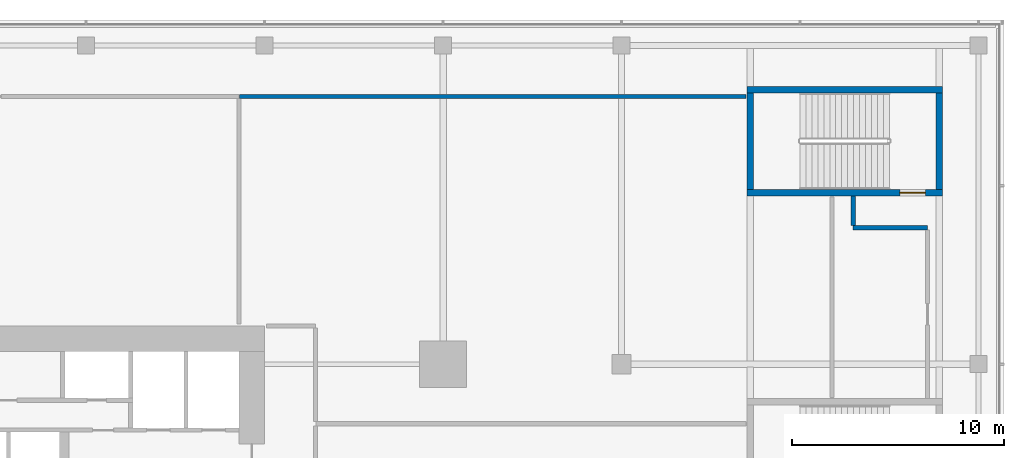
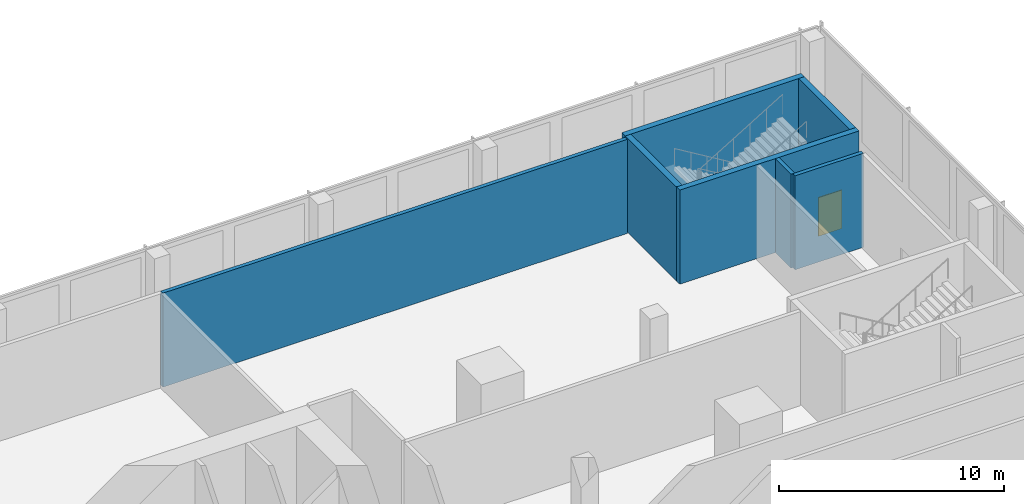
# One storey, part 34 of 39: 7 walls, 1 door, 1 opening.
"""IFC4 building model written with IfcOpenShell, lengths in metres."""

from ifc_helpers import new_model, si_unit, direction, frame, frame_2d, origin, place, context, subcontext, project, spatial, rectangle, extrude, material, layer, layer_set, type_object, element, fill, save


model = new_model("IFC4")

# Units and contexts
model_context = context("Model", 3, precision=1e-05, world=origin(), true_north=direction((0.0, 1.0)))
body_context = subcontext(model_context, "Body", "Model", "MODEL_VIEW")
ifc_project = project(units=[si_unit("LENGTHUNIT", "METRE"), si_unit("AREAUNIT", "SQUARE_METRE"), si_unit("VOLUMEUNIT", "CUBIC_METRE"), si_unit("PLANEANGLEUNIT", "RADIAN"), si_unit("MASSUNIT", "GRAM", prefix="KILO")], contexts=[model_context])

# Site, building, storey
site_placement = place(None, origin())
site = spatial("IfcSite", under=ifc_project, at=site_placement, CompositionType="ELEMENT")
building_placement = place(site_placement, origin())
building = spatial("IfcBuilding", under=site, at=building_placement, Name="Saffron Gate Tower", CompositionType="ELEMENT")
storey_placement = place(building_placement, frame((0.0, 0.0, 9.0)))
storey = spatial("IfcBuildingStorey", under=building, at=storey_placement, Name="L01", CompositionType="ELEMENT", Elevation=9.0)

# Wall, opening, door
ifc_material_1 = material(Name="Concrete C70", Category="concrete")
ifc_layer_1 = layer(ifc_material_1, 0.300048828125)
ifc_layer_set_1 = layer_set([ifc_layer_1], Name="CW5 RC core wall 300 C70")
wall_type_1 = type_object("IfcWallType", Name="CW5 RC core wall 300 C70", PredefinedType="SOLIDWALL", material=ifc_layer_set_1)
wall_1_placement = place(storey_placement, frame((131.300048828125, 81.875, 0.0), z_axis=(0.0, 0.0, 1.0), x_axis=(1.0, 0.0, 0.0)))
wall_1 = element("IfcWall", 1, at=wall_1_placement, inside=storey, type_object=wall_type_1, Name="Wall CW5-L01-I-1", PredefinedType="SOLIDWALL", context=body_context, shape_type="SweptSolid", body=[
    extrude(rectangle(XDim=9.199951171875, YDim=0.300048828125, at=frame_2d((4.60009765625, 0.0))), origin(), (0.0, 0.0, 1.0), 5.10009765625),
])
opening_placement = place(wall_1_placement, frame((7.199951171875, 0.0, 0.0)))
opening = element("IfcOpeningElement", 2, at=opening_placement, cuts=wall_1, Name="Opening CR-35", PredefinedType="OPENING", context=body_context, shape_type="SweptSolid", body=[
    extrude(rectangle(XDim=1.199951171875, YDim=2.10009765625, at=frame_2d((0.60009765625, 1.050048828125))), frame((0.0, 0.16015625, 0.0), z_axis=(0.0, -1.0, 0.0), x_axis=(1.0, 0.0, 0.0)), (0.0, 0.0, 1.0), 0.320068359375),
])
ifc_material_2 = material(Name="Steel fire door set", Category="steel")
door_type = type_object("IfcDoorType", Name="CD12 Stair door 1200x2100 EI 120", OperationType="NOTDEFINED", PredefinedType="DOOR", material=ifc_material_2)
door_placement = place(opening_placement, origin())
door = element("IfcDoor", 3, at=door_placement, inside=storey, type_object=door_type, Name="DOOR CR-35", OperationType="SINGLE_SWING_RIGHT", OverallHeight=2.10009765625, OverallWidth=1.199951171875, PredefinedType="DOOR", context=body_context, shape_type="SweptSolid", body=[
    extrude(rectangle(XDim=1.199951171875, YDim=2.10009765625, at=frame_2d((0.60009765625, 1.050048828125))), frame((0.0, 0.02490234375, 0.0), z_axis=(0.0, -1.0, 0.0), x_axis=(1.0, 0.0, 0.0)), (0.0, 0.0, 1.0), 0.050048828125),
])
fill(opening, door)

# Walls
for number, where, z_axis, x_axis, name in (
    (4, (131.449951171875, 82.02490234375, 0.0), (0.0, 0.0, 1.0), (0.0, 1.0, 0.0), "Wall CW5-L01-I-2"),
    (5, (140.35009765625, 82.02490234375, 0.0), (0.0, 0.0, 1.0), (0.0, 1.0, 0.0), "Wall CW5-L01-I-3"),
):
    element("IfcWall", number, at=place(storey_placement, frame(where, z_axis=z_axis, x_axis=x_axis)), inside=storey, type_object=wall_type_1, Name=name, PredefinedType="SOLIDWALL", context=body_context, shape_type="SweptSolid", body=[
        extrude(rectangle(XDim=4.550048828125, YDim=0.300048828125, at=frame_2d((2.27490234375, 0.0))), origin(), (0.0, 0.0, 1.0), 5.10009765625),
    ])
wall_2_placement = place(storey_placement, frame((131.300048828125, 86.72509765625, 0.0), z_axis=(0.0, 0.0, 1.0), x_axis=(1.0, 0.0, 0.0)))
element("IfcWall", 6, at=wall_2_placement, inside=storey, type_object=wall_type_1, Name="Wall CW5-L01-I-4", PredefinedType="SOLIDWALL", context=body_context, shape_type="SweptSolid", body=[
    extrude(rectangle(XDim=9.199951171875, YDim=0.300048828125, at=frame_2d((4.60009765625, 0.0))), origin(), (0.0, 0.0, 1.0), 5.10009765625),
])
ifc_material_3 = material(Name="Clay brick masonry, rendered", Category="masonry")
ifc_layer_2 = layer(ifc_material_3, 0.199951171875)
ifc_layer_set_2 = layer_set([ifc_layer_2], Name="PW3 Corridor wall 200")
wall_type_2 = type_object("IfcWallType", Name="PW3 Corridor wall 200", PredefinedType="PARTITIONING", material=ifc_layer_set_2)
wall_3_placement = place(storey_placement, frame((136.300048828125, 80.22509765625, 0.0), z_axis=(0.0, 0.0, 1.0), x_axis=(1.0, 0.0, 0.0)))
element("IfcWall", 7, at=wall_3_placement, inside=storey, type_object=wall_type_2, Name="Wall P1-30", PredefinedType="PARTITIONING", context=body_context, shape_type="SweptSolid", body=[
    extrude(rectangle(XDim=3.5, YDim=0.199951171875, at=frame_2d((1.75, 0.0))), origin(), (0.0, 0.0, 1.0), 5.10009765625),
])
wall_4_placement = place(storey_placement, frame((136.300048828125, 81.72509765625, 0.0), z_axis=(0.0, 0.0, 1.0), x_axis=(0.0, -1.0, 0.0)))
element("IfcWall", 8, at=wall_4_placement, inside=storey, type_object=wall_type_2, Name="Wall P1-72", PredefinedType="PARTITIONING", context=body_context, shape_type="SweptSolid", body=[
    extrude(rectangle(XDim=1.400146484375, YDim=0.199951171875, at=frame_2d((0.7001953125, 0.0))), origin(), (0.0, 0.0, 1.0), 5.10009765625),
])
ifc_layer_3 = layer(ifc_material_3, 0.199951171875)
ifc_layer_set_3 = layer_set([ifc_layer_3], Name="PW5 Room wall 200")
wall_type_3 = type_object("IfcWallType", Name="PW5 Room wall 200", PredefinedType="PARTITIONING", material=ifc_layer_set_3)
wall_5_placement = place(storey_placement, frame((107.419921875, 86.39990234375, 0.0), z_axis=(0.0, 0.0, 1.0), x_axis=(1.0, 0.0, 0.0)))
element("IfcWall", 9, at=wall_5_placement, inside=storey, type_object=wall_type_3, Name="Wall P1-33", PredefinedType="PARTITIONING", context=body_context, shape_type="SweptSolid", body=[
    extrude(rectangle(XDim=23.830078125, YDim=0.199951171875, at=frame_2d((11.9150390625, 0.0))), origin(), (0.0, 0.0, 1.0), 5.10009765625),
])

save(model, "model.ifc")
